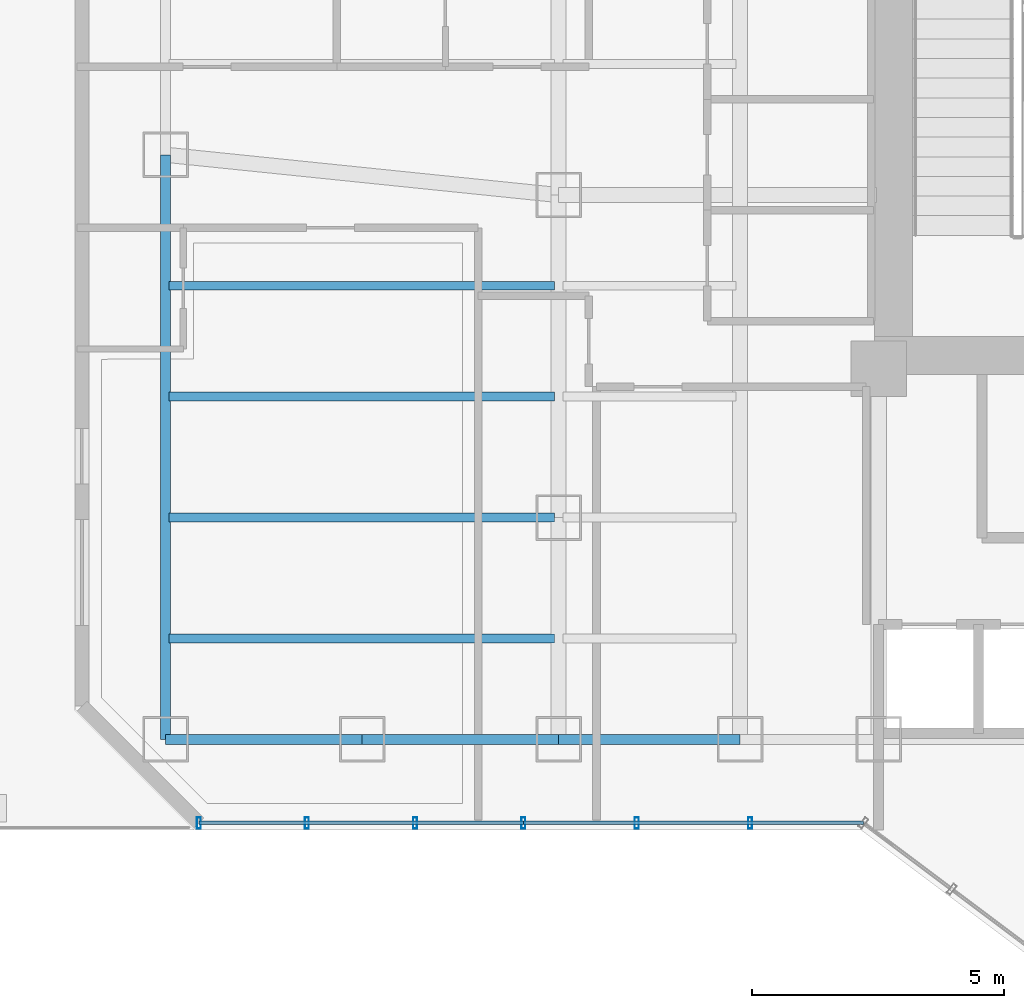
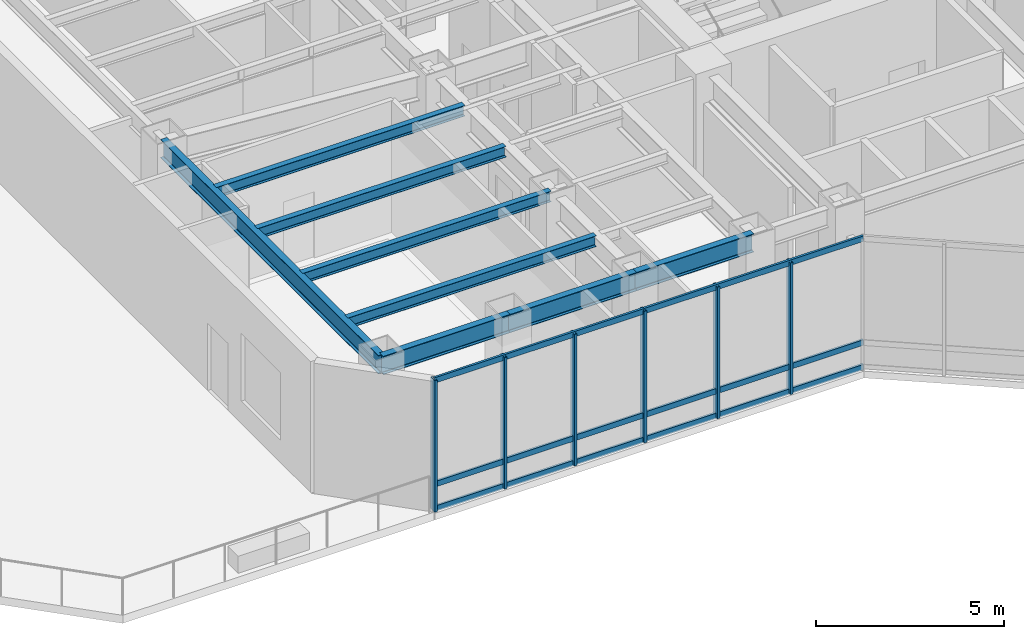
# One storey, part 2 of 27: 12 members, 8 beams, 2 elements without a shape of their own.
"""IFC4 building model written with IfcOpenShell, lengths in metres."""

from ifc_helpers import new_model, si_unit, direction, frame, origin, origin_2d, place, context, subcontext, project, spatial, hollow_rectangle, i_section, extrude, material, layer, layer_set, material_profile, profile_set, type_object, element, aggregate, save


model = new_model("IFC4")

# Units and contexts
model_context = context("Model", 3, precision=1e-05, world=origin(), true_north=direction((0.0, 1.0)))
body_context = subcontext(model_context, "Body", "Model", "MODEL_VIEW")
ifc_project = project(units=[si_unit("LENGTHUNIT", "METRE"), si_unit("AREAUNIT", "SQUARE_METRE"), si_unit("VOLUMEUNIT", "CUBIC_METRE"), si_unit("PLANEANGLEUNIT", "RADIAN"), si_unit("MASSUNIT", "GRAM", prefix="KILO")], contexts=[model_context])

# Site, building, storey
site_placement = place(None, origin())
site = spatial("IfcSite", under=ifc_project, at=site_placement, CompositionType="ELEMENT")
building_placement = place(site_placement, origin())
building = spatial("IfcBuilding", under=site, at=building_placement, Name="Hatsunagi Terrace Concourse", CompositionType="ELEMENT")
storey_placement = place(building_placement, frame((0.0, 0.0, 70.10009765625)))
storey = spatial("IfcBuildingStorey", under=building, at=storey_placement, Name="L18", CompositionType="ELEMENT", Elevation=70.10009765625)

# Curtain wall, members
ifc_material_1 = material(Name="Anodised Aluminium Alloy 6063-T5", Category="aluminium")
ifc_layer = layer(ifc_material_1, 0.199951171875)
ifc_layer_set = layer_set([ifc_layer], Name="SkyLobbyAtrium_CW05")
curtain_wall_type = type_object("IfcCurtainWallType", Name="SkyLobbyAtrium_CW05", PredefinedType="NOTDEFINED", material=ifc_layer_set)
curtain_wall_1_placement = place(storey_placement, origin())
curtain_wall_1 = element("IfcCurtainWall", 1, at=curtain_wall_1_placement, inside=storey, type_object=curtain_wall_type, Name="Unitised Curtain Wall CW-05 CW-L18-06", PredefinedType="NOTDEFINED")
ifc_material_2 = material(Name="Anodised Aluminium Alloy 6063-T5", Category="aluminium")
ifc_material_profile_1 = material_profile(ifc_material_2, hollow_rectangle(XDim=0.080078125, YDim=0.219970703125, WallThickness=0.0048828125, at=origin_2d()), Name="ALU-MUL-220x80x5")
ifc_profile_set_1 = profile_set([ifc_material_profile_1], Name="Anodised Aluminium Alloy 6063-T5")
member_type_1 = type_object("IfcMemberType", Name="CurtainWallMullion_Heavy_220x80", PredefinedType="MULLION", material=ifc_profile_set_1)
member_1_placement = place(storey_placement, frame((22.998046875, 23.5400390625, 0.0), z_axis=(0.0, 0.0, 1.0), x_axis=(-1.0, 0.0, 0.0)))
member_1 = element("IfcMember", 2, at=member_1_placement, type_object=member_type_1, Name="Curtain Wall Mullion MUL-01", PredefinedType="MULLION", context=body_context, shape_type="SweptSolid", body=[
    extrude(hollow_rectangle(XDim=0.080078125, YDim=0.219970703125, WallThickness=0.0048828125, at=origin_2d()), origin(), (0.0, 0.0, 1.0), 4.27978515625),
])
member_2_placement = place(storey_placement, frame((20.7490234375, 23.5400390625, 0.0), z_axis=(0.0, 0.0, 1.0), x_axis=(-1.0, 0.0, 0.0)))
member_2 = element("IfcMember", 3, at=member_2_placement, type_object=member_type_1, Name="Curtain Wall Mullion MUL-01", PredefinedType="MULLION", context=body_context, shape_type="SweptSolid", body=[
    extrude(hollow_rectangle(XDim=0.080078125, YDim=0.219970703125, WallThickness=0.0048828125, at=origin_2d()), origin(), (0.0, 0.0, 1.0), 4.27978515625),
])
member_3_placement = place(storey_placement, frame((18.5, 23.5400390625, 0.0), z_axis=(0.0, 0.0, 1.0), x_axis=(-1.0, 0.0, 0.0)))
member_3 = element("IfcMember", 4, at=member_3_placement, type_object=member_type_1, Name="Curtain Wall Mullion MUL-01", PredefinedType="MULLION", context=body_context, shape_type="SweptSolid", body=[
    extrude(hollow_rectangle(XDim=0.080078125, YDim=0.219970703125, WallThickness=0.0048828125, at=origin_2d()), origin(), (0.0, 0.0, 1.0), 4.27978515625),
])

curtain_wall_2_placement = place(storey_placement, origin())
curtain_wall_2 = element("IfcCurtainWall", 5, at=curtain_wall_2_placement, inside=storey, type_object=curtain_wall_type, Name="Unitised Curtain Wall CW-05 CW-L18-07", PredefinedType="NOTDEFINED")
member_4_placement = place(storey_placement, frame((16.35302734375, 23.5400390625, 0.0), z_axis=(0.0, 0.0, 1.0), x_axis=(-1.0, 0.0, 0.0)))
member_4 = element("IfcMember", 6, at=member_4_placement, type_object=member_type_1, Name="Curtain Wall Mullion MUL-01", PredefinedType="MULLION", context=body_context, shape_type="SweptSolid", body=[
    extrude(hollow_rectangle(XDim=0.080078125, YDim=0.219970703125, WallThickness=0.0048828125, at=origin_2d()), origin(), (0.0, 0.0, 1.0), 4.27978515625),
])
member_5_placement = place(storey_placement, frame((14.205078125, 23.5400390625, 0.0), z_axis=(0.0, 0.0, 1.0), x_axis=(-1.0, 0.0, 0.0)))
member_5 = element("IfcMember", 7, at=member_5_placement, type_object=member_type_1, Name="Curtain Wall Mullion MUL-01", PredefinedType="MULLION", context=body_context, shape_type="SweptSolid", body=[
    extrude(hollow_rectangle(XDim=0.080078125, YDim=0.219970703125, WallThickness=0.0048828125, at=origin_2d()), origin(), (0.0, 0.0, 1.0), 4.27978515625),
])
member_6_placement = place(storey_placement, frame((12.05810546875, 23.5400390625, 0.0), z_axis=(0.0, 0.0, 1.0), x_axis=(-1.0, 0.0, 0.0)))
member_6 = element("IfcMember", 8, at=member_6_placement, type_object=member_type_1, Name="Curtain Wall Mullion MUL-01", PredefinedType="MULLION", context=body_context, shape_type="SweptSolid", body=[
    extrude(hollow_rectangle(XDim=0.080078125, YDim=0.219970703125, WallThickness=0.0048828125, at=origin_2d()), origin(), (0.0, 0.0, 1.0), 4.27978515625),
])

# Member
ifc_material_3 = material(Name="Anodised Aluminium Alloy 6063-T5", Category="aluminium")
ifc_material_profile_2 = material_profile(ifc_material_3, hollow_rectangle(XDim=0.070068359375, YDim=0.179931640625, WallThickness=0.00390625, at=origin_2d()), Name="ALU-TRN-180x70x4")
ifc_profile_set_2 = profile_set([ifc_material_profile_2], Name="Anodised Aluminium Alloy 6063-T5")
member_type_2 = type_object("IfcMemberType", Name="CurtainWallTransom_Heavy_180x70", PredefinedType="USERDEFINED", material=ifc_profile_set_2)
member_7_placement = place(storey_placement, frame((25.2470703125, 23.5400390625, 0.0498046875), z_axis=(-1.0, 0.0, 0.0), x_axis=(0.0, -1.0, 0.0)))
member_7 = element("IfcMember", 9, at=member_7_placement, type_object=member_type_2, Name="Curtain Wall Transom TRN-01", ObjectType="TRANSOM", PredefinedType="USERDEFINED", context=body_context, shape_type="SweptSolid", body=[
    extrude(hollow_rectangle(XDim=0.070068359375, YDim=0.179931640625, WallThickness=0.00390625, at=origin_2d()), origin(), (0.0, 0.0, 1.0), 6.7470703125),
])

member_8_placement = place(storey_placement, frame((25.2470703125, 23.5400390625, 0.849853515625), z_axis=(-1.0, 0.0, 0.0), x_axis=(0.0, -1.0, 0.0)))
member_8 = element("IfcMember", 10, at=member_8_placement, type_object=member_type_2, Name="Curtain Wall Transom TRN-01", ObjectType="TRANSOM", PredefinedType="USERDEFINED", context=body_context, shape_type="SweptSolid", body=[
    extrude(hollow_rectangle(XDim=0.070068359375, YDim=0.179931640625, WallThickness=0.00390625, at=origin_2d()), origin(), (0.0, 0.0, 1.0), 6.7470703125),
])

member_9_placement = place(storey_placement, frame((25.2470703125, 23.5400390625, 4.22998046875), z_axis=(-1.0, 0.0, 0.0), x_axis=(0.0, -1.0, 0.0)))
member_9 = element("IfcMember", 11, at=member_9_placement, type_object=member_type_2, Name="Curtain Wall Transom TRN-01", ObjectType="TRANSOM", PredefinedType="USERDEFINED", context=body_context, shape_type="SweptSolid", body=[
    extrude(hollow_rectangle(XDim=0.070068359375, YDim=0.179931640625, WallThickness=0.00390625, at=origin_2d()), origin(), (0.0, 0.0, 1.0), 6.7470703125),
])

aggregate(curtain_wall_1, [member_1, member_2, member_3, member_7, member_8, member_9])

member_10_placement = place(storey_placement, frame((18.5, 23.5400390625, 0.0498046875), z_axis=(-1.0, 0.0, 0.0), x_axis=(0.0, -1.0, 0.0)))
member_10 = element("IfcMember", 12, at=member_10_placement, type_object=member_type_2, Name="Curtain Wall Transom TRN-01", ObjectType="TRANSOM", PredefinedType="USERDEFINED", context=body_context, shape_type="SweptSolid", body=[
    extrude(hollow_rectangle(XDim=0.070068359375, YDim=0.179931640625, WallThickness=0.00390625, at=origin_2d()), origin(), (0.0, 0.0, 1.0), 6.44189453125),
])

member_11_placement = place(storey_placement, frame((18.5, 23.5400390625, 0.849853515625), z_axis=(-1.0, 0.0, 0.0), x_axis=(0.0, -1.0, 0.0)))
member_11 = element("IfcMember", 13, at=member_11_placement, type_object=member_type_2, Name="Curtain Wall Transom TRN-01", ObjectType="TRANSOM", PredefinedType="USERDEFINED", context=body_context, shape_type="SweptSolid", body=[
    extrude(hollow_rectangle(XDim=0.070068359375, YDim=0.179931640625, WallThickness=0.00390625, at=origin_2d()), origin(), (0.0, 0.0, 1.0), 6.44189453125),
])

member_12_placement = place(storey_placement, frame((18.5, 23.5400390625, 4.22998046875), z_axis=(-1.0, 0.0, 0.0), x_axis=(0.0, -1.0, 0.0)))
member_12 = element("IfcMember", 14, at=member_12_placement, type_object=member_type_2, Name="Curtain Wall Transom TRN-01", ObjectType="TRANSOM", PredefinedType="USERDEFINED", context=body_context, shape_type="SweptSolid", body=[
    extrude(hollow_rectangle(XDim=0.070068359375, YDim=0.179931640625, WallThickness=0.00390625, at=origin_2d()), origin(), (0.0, 0.0, 1.0), 6.44189453125),
])

aggregate(curtain_wall_2, [member_4, member_5, member_6, member_10, member_11, member_12])

# Beams
ifc_material_4 = material(Name="Steel SN490B", Category="steel")
ifc_material_profile_3 = material_profile(ifc_material_4, i_section(OverallWidth=0.175048828125, OverallDepth=0.35009765625, WebThickness=0.007080078125, FlangeThickness=0.010986328125, FilletRadius=0.012939453125, at=origin_2d()), Name="H-350x175x7x11")
ifc_profile_set_3 = profile_set([ifc_material_profile_3], Name="Steel SN490B")
beam_type_1 = type_object("IfcBeamType", Name="HotelJoist_H_350x175", PredefinedType="JOIST", material=ifc_profile_set_3)
for number, where, z_axis, x_axis, name in (
    (15, (11.465087890625, 27.199951171875, 4.10498046875), (1.0, 0.0, 0.0), (0.0, 1.0, 0.0), "Beam J-02 J-L18-W-11-272"),
    (16, (11.465087890625, 29.60009765625, 4.10498046875), (1.0, 0.0, 0.0), (0.0, 1.0, 0.0), "Beam J-02 J-L18-W-11-296"),
    (17, (11.465087890625, 32.0, 4.10498046875), (1.0, 0.0, 0.0), (0.0, 1.0, 0.0), "Beam J-02 J-L18-W-11-320"),
    (18, (11.465087890625, 34.199951171875, 4.10498046875), (1.0, 0.0, 0.0), (0.0, 1.0, 0.0), "Beam J-02 J-L18-W-11-342"),
):
    element("IfcBeam", number, at=place(storey_placement, frame(where, z_axis=z_axis, x_axis=x_axis)), inside=storey, type_object=beam_type_1, Name=name, PredefinedType="JOIST", context=body_context, shape_type="SweptSolid", body=[
        extrude(i_section(OverallWidth=0.175048828125, OverallDepth=0.35009765625, WebThickness=0.007080078125, FlangeThickness=0.010986328125, FilletRadius=0.012939453125, at=origin_2d()), origin(), (0.0, 0.0, 1.0), 7.64990234375),
    ])
ifc_material_5 = material(Name="Steel SN490B", Category="steel")
ifc_material_profile_4 = material_profile(ifc_material_5, i_section(OverallWidth=0.199951171875, OverallDepth=0.60009765625, WebThickness=0.010986328125, FlangeThickness=0.01708984375, FilletRadius=0.01806640625, at=origin_2d()), Name="H-600x200x11x17")
ifc_profile_set_4 = profile_set([ifc_material_profile_4], Name="Steel SN490B")
beam_type_2 = type_object("IfcBeamType", Name="PerimeterSpandrel_H_600x200", PredefinedType="SPANDREL", material=ifc_profile_set_4)
beam_1_placement = place(storey_placement, frame((11.39990234375, 25.199951171875, 3.97998046875), z_axis=(1.0, 0.0, 0.0), x_axis=(0.0, 1.0, 0.0)))
element("IfcBeam", 19, at=beam_1_placement, inside=storey, type_object=beam_type_2, Name="Beam SP-01 BM-L18-WS-11", PredefinedType="SPANDREL", context=body_context, shape_type="SweptSolid", body=[
    extrude(i_section(OverallWidth=0.199951171875, OverallDepth=0.60009765625, WebThickness=0.010986328125, FlangeThickness=0.01708984375, FilletRadius=0.01806640625, at=origin_2d()), origin(), (0.0, 0.0, 1.0), 3.900146484375),
])
beam_2_placement = place(storey_placement, frame((15.300048828125, 25.199951171875, 3.97998046875), z_axis=(1.0, 0.0, 0.0), x_axis=(0.0, 1.0, 0.0)))
element("IfcBeam", 20, at=beam_2_placement, inside=storey, type_object=beam_type_2, Name="Beam SP-01 BM-L18-WS-15", PredefinedType="SPANDREL", context=body_context, shape_type="SweptSolid", body=[
    extrude(i_section(OverallWidth=0.199951171875, OverallDepth=0.60009765625, WebThickness=0.010986328125, FlangeThickness=0.01708984375, FilletRadius=0.01806640625, at=origin_2d()), origin(), (0.0, 0.0, 1.0), 3.89990234375),
])
beam_3_placement = place(storey_placement, frame((19.199951171875, 25.199951171875, 3.97998046875), z_axis=(1.0, 0.0, 0.0), x_axis=(0.0, 1.0, 0.0)))
element("IfcBeam", 21, at=beam_3_placement, inside=storey, type_object=beam_type_2, Name="Beam SP-01 BM-L18-WS-19", PredefinedType="SPANDREL", context=body_context, shape_type="SweptSolid", body=[
    extrude(i_section(OverallWidth=0.199951171875, OverallDepth=0.60009765625, WebThickness=0.010986328125, FlangeThickness=0.01708984375, FilletRadius=0.01806640625, at=origin_2d()), origin(), (0.0, 0.0, 1.0), 3.60009765625),
])
beam_4_placement = place(storey_placement, frame((11.39990234375, 25.199951171875, 3.97998046875), z_axis=(0.0, 1.0, 0.0), x_axis=(-1.0, 0.0, 0.0)))
element("IfcBeam", 22, at=beam_4_placement, inside=storey, type_object=beam_type_2, Name="Beam SP-01 BM-L18-NS-11-25", PredefinedType="SPANDREL", context=body_context, shape_type="SweptSolid", body=[
    extrude(i_section(OverallWidth=0.199951171875, OverallDepth=0.60009765625, WebThickness=0.010986328125, FlangeThickness=0.01708984375, FilletRadius=0.01806640625, at=origin_2d()), origin(), (0.0, 0.0, 1.0), 11.60009765625),
])

save(model, "model.ifc")
